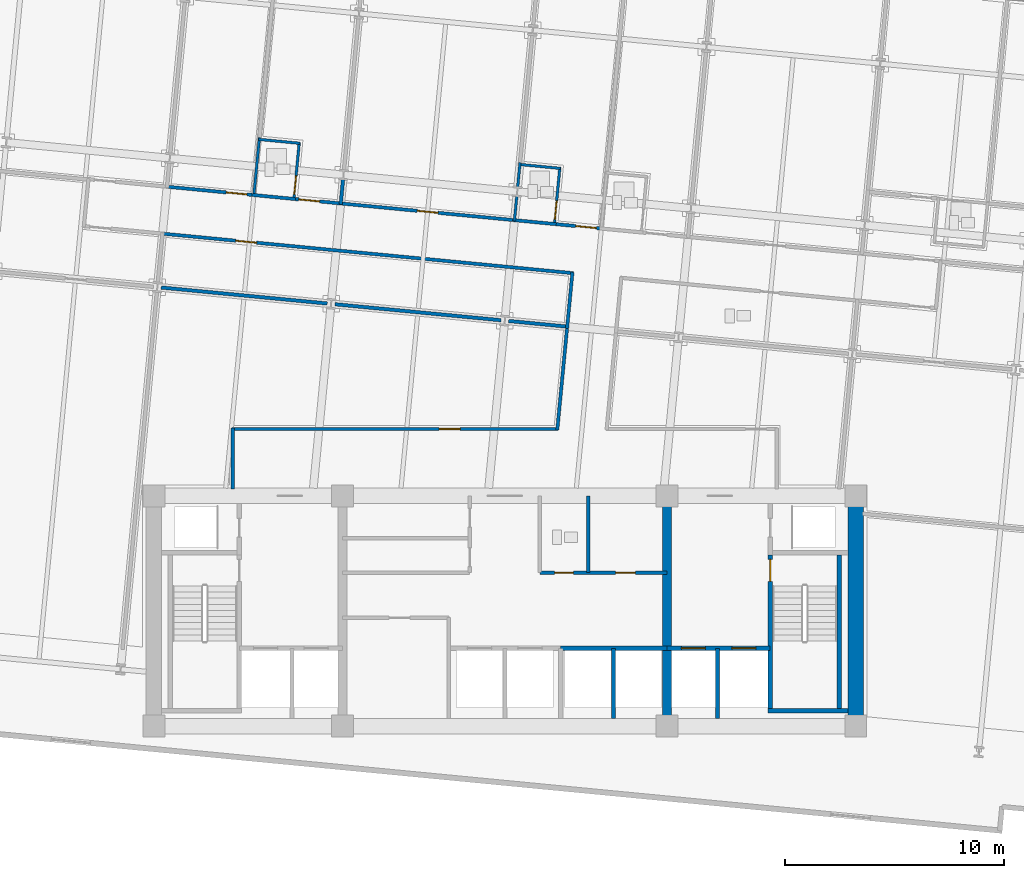
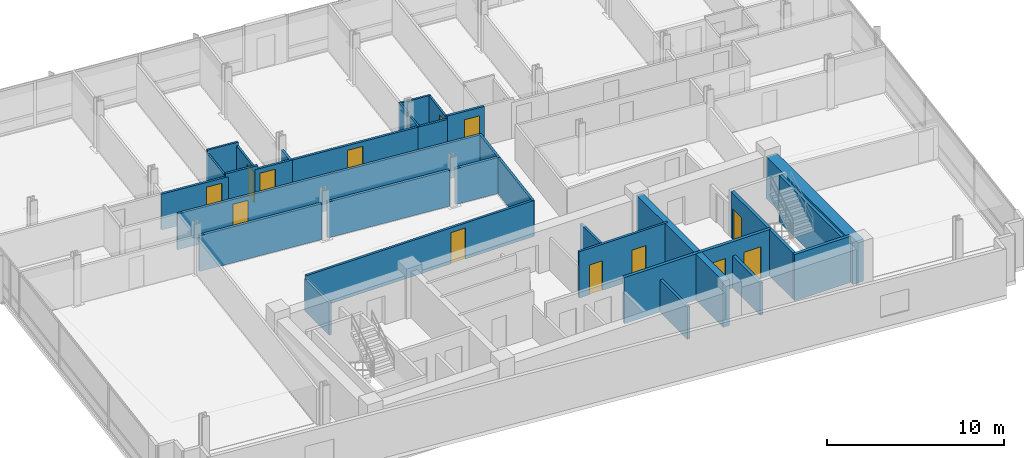
# One storey, part 11 of 17: 33 walls, 13 doors, 13 openings.
"""IFC4 building model written with IfcOpenShell, lengths in metres."""

from ifc_helpers import new_model, si_unit, direction, frame, frame_2d, origin, place, context, subcontext, project, spatial, rectangle, extrude, material, layer, layer_set, type_object, element, fill, save


model = new_model("IFC4")

# Units and contexts
model_context = context("Model", 3, precision=1e-05, world=origin(), true_north=direction((0.0, 1.0)))
body_context = subcontext(model_context, "Body", "Model", "MODEL_VIEW")
ifc_project = project(units=[si_unit("LENGTHUNIT", "METRE"), si_unit("AREAUNIT", "SQUARE_METRE"), si_unit("VOLUMEUNIT", "CUBIC_METRE"), si_unit("PLANEANGLEUNIT", "RADIAN"), si_unit("MASSUNIT", "GRAM", prefix="KILO")], contexts=[model_context])

# Site, building, storey
site_placement = place(None, origin())
site = spatial("IfcSite", under=ifc_project, at=site_placement, CompositionType="ELEMENT")
building_placement = place(site_placement, origin())
building = spatial("IfcBuilding", under=site, at=building_placement, Name="Solmavex Isthmus Hotel", CompositionType="ELEMENT")
storey_placement = place(building_placement, frame((0.0, 0.0, 170.39990234375)))
storey = spatial("IfcBuildingStorey", under=building, at=storey_placement, Name="L46", CompositionType="ELEMENT", Elevation=170.39990234375)

# Walls
ifc_material_1 = material(Name="Gypsum plasterboard lining", Category="gypsum")
ifc_layer_1 = layer(ifc_material_1, 0.159912109375)
ifc_layer_set_1 = layer_set([ifc_layer_1], Name="Gypsum plasterboard lining")
wall_type_1 = type_object("IfcWallType", Name="IW-COMP-160", PredefinedType="PARTITIONING", material=ifc_layer_set_1)
wall_1_placement = place(storey_placement, frame((-7.36865234375, 11.95849609375, 0.0), z_axis=(0.0, 0.0, 1.0), x_axis=(-0.095831494917, -0.995397571115, 0.0)))
element("IfcWall", 1, at=wall_1_placement, inside=storey, type_object=wall_type_1, Name="Interior Partition Wall W-L46-P034", PredefinedType="PARTITIONING", context=body_context, shape_type="SweptSolid", body=[
    extrude(rectangle(XDim=1.171875, YDim=0.159912109375, at=frame_2d((0.5859375, 0.0))), origin(), (0.0, 0.0, 1.0), 2.4794921875),
])
for number, where, z_axis, x_axis, name in (
    (2, (-8.09326171875, 6.269775390625, 0.0), (0.0, 0.0, 1.0), (-0.995396962155, 0.095837819954, 0.0), "Interior Partition Wall W-L46-P070"),
    (3, (-0.173828125, 5.507080078125, 0.0), (0.0, 0.0, 1.0), (-0.995393898805, 0.095869631385, 0.0), "Interior Partition Wall W-L46-P071"),
):
    element("IfcWall", number, at=place(storey_placement, frame(where, z_axis=z_axis, x_axis=x_axis)), inside=storey, type_object=wall_type_1, Name=name, PredefinedType="PARTITIONING", context=body_context, shape_type="SweptSolid", body=[
        extrude(rectangle(XDim=7.60400390625, YDim=0.159912109375, at=frame_2d((3.802001953125, 0.0))), origin(), (0.0, 0.0, 1.0), 2.4794921875),
    ])
wall_2_placement = place(storey_placement, frame((2.885986328125, 5.212646484375, 0.0), z_axis=(0.0, 0.0, 1.0), x_axis=(-0.995401466761, 0.095791022391, 0.0)))
element("IfcWall", 4, at=wall_2_placement, inside=storey, type_object=wall_type_1, Name="Interior Partition Wall W-L46-P072", PredefinedType="PARTITIONING", context=body_context, shape_type="SweptSolid", body=[
    extrude(rectangle(XDim=2.721923828125, YDim=0.159912109375, at=frame_2d((1.36083984375, 0.0))), origin(), (0.0, 0.0, 1.0), 2.4794921875),
])

# Wall, openings, doors
ifc_layer_2 = layer(ifc_material_1, 0.14990234375)
ifc_layer_set_2 = layer_set([ifc_layer_2], Name="Gypsum plasterboard lining")
wall_type_2 = type_object("IfcWallType", Name="IW-CORR-150", PredefinedType="PARTITIONING", material=ifc_layer_set_2)
wall_3_placement = place(storey_placement, frame((1.60009765625, -6.0, 0.0), z_axis=(0.0, 0.0, 1.0), x_axis=(1.0, 0.0, 0.0)))
wall_3 = element("IfcWall", 5, at=wall_3_placement, inside=storey, type_object=wall_type_2, Name="Interior Partition Wall W-L46-BOH-ES", PredefinedType="PARTITIONING", context=body_context, shape_type="SweptSolid", body=[
    extrude(rectangle(XDim=5.7998046875, YDim=0.14990234375, at=frame_2d((2.89990234375, 0.0))), origin(), (0.0, 0.0, 1.0), 3.190185546875),
])
opening_1_placement = place(wall_3_placement, frame((0.675048828125, 0.0, 0.0)))
opening_1 = element("IfcOpeningElement", 6, at=opening_1_placement, cuts=wall_3, Name="Opening ID-R085", PredefinedType="OPENING", context=body_context, shape_type="SweptSolid", body=[
    extrude(rectangle(XDim=0.85009765625, YDim=2.050048828125, at=frame_2d((0.425048828125, 1.02490234375))), frame((0.0, 0.0849609375, 0.0), z_axis=(0.0, -1.0, 0.0), x_axis=(1.0, 0.0, 0.0)), (0.0, 0.0, 1.0), 0.169921875),
])
opening_2_placement = place(wall_3_placement, frame((3.449951171875, 0.0, 0.0)))
opening_2 = element("IfcOpeningElement", 7, at=opening_2_placement, cuts=wall_3, Name="Opening ID-C090", PredefinedType="OPENING", context=body_context, shape_type="SweptSolid", body=[
    extrude(rectangle(XDim=0.89990234375, YDim=2.10009765625, at=frame_2d((0.449951171875, 1.050048828125))), frame((0.0, 0.0849609375, 0.0), z_axis=(0.0, -1.0, 0.0), x_axis=(1.0, 0.0, 0.0)), (0.0, 0.0, 1.0), 0.169921875),
])
ifc_material_2 = material(Name="Steel ASTM A500 Grade C", Category="steel")
door_type_1 = type_object("IfcDoorType", Name="IDR-FD60-0850", OperationType="NOTDEFINED", PredefinedType="DOOR", material=ifc_material_2)
door_1_placement = place(opening_1_placement, frame((0.85009765625, 0.0, 0.0), z_axis=(0.0, 0.0, 1.0), x_axis=(-1.0, 0.0, 0.0)))
door_1 = element("IfcDoor", 8, at=door_1_placement, inside=storey, type_object=door_type_1, Name="Staff WC Door L46", OperationType="SINGLE_SWING_LEFT", OverallHeight=2.050048828125, OverallWidth=0.85009765625, PredefinedType="DOOR", context=body_context, shape_type="SweptSolid", body=[
    extrude(rectangle(XDim=0.85009765625, YDim=2.050048828125, at=frame_2d((0.425048828125, 1.02490234375))), frame((0.0, 0.02490234375, 0.0), z_axis=(0.0, -1.0, 0.0), x_axis=(1.0, 0.0, 0.0)), (0.0, 0.0, 1.0), 0.050048828125),
])
fill(opening_1, door_1)
ifc_material_3 = material(Name="Hardwood timber", Category="wood")
door_type_2 = type_object("IfcDoorType", Name="IDR-FD60-0900", OperationType="NOTDEFINED", PredefinedType="DOOR", material=ifc_material_3)
door_2_placement = place(opening_2_placement, frame((0.89990234375, 0.0, 0.0), z_axis=(0.0, 0.0, 1.0), x_axis=(-1.0, 0.0, 0.0)))
door_2 = element("IfcDoor", 9, at=door_2_placement, inside=storey, type_object=door_type_2, Name="Room Service Door L46", OperationType="SINGLE_SWING_RIGHT", OverallHeight=2.10009765625, OverallWidth=0.89990234375, PredefinedType="DOOR", context=body_context, shape_type="SweptSolid", body=[
    extrude(rectangle(XDim=0.89990234375, YDim=2.10009765625, at=frame_2d((0.449951171875, 1.050048828125))), frame((0.0, 0.02490234375, 0.0), z_axis=(0.0, -1.0, 0.0), x_axis=(1.0, 0.0, 0.0)), (0.0, 0.0, 1.0), 0.050048828125),
])
fill(opening_2, door_2)

# Wall, opening, door
wall_4_placement = place(storey_placement, frame((-15.478271484375, 11.60205078125, 0.0), z_axis=(0.0, 0.0, 1.0), x_axis=(0.995396926245, -0.095838192922, 0.0)))
wall_4 = element("IfcWall", 10, at=wall_4_placement, inside=storey, type_object=wall_type_2, Name="Interior Partition Wall W-L46-P002", PredefinedType="PARTITIONING", context=body_context, shape_type="SweptSolid", body=[
    extrude(rectangle(XDim=4.14208984375, YDim=0.14990234375, at=frame_2d((2.071044921875, 0.0))), origin(), (0.0, 0.0, 1.0), 2.4794921875),
])
opening_3_placement = place(wall_4_placement, frame((2.790283203125, 0.0, 0.0)))
opening_3 = element("IfcOpeningElement", 11, at=opening_3_placement, cuts=wall_4, Name="Opening ID-C095", PredefinedType="OPENING", context=body_context, shape_type="SweptSolid", body=[
    extrude(rectangle(XDim=0.949951171875, YDim=2.14990234375, at=frame_2d((0.47509765625, 1.074951171875))), frame((0.0, 0.0849609375, 0.0), z_axis=(0.0, -1.0, 0.0), x_axis=(1.0, 0.0, 0.0)), (0.0, 0.0, 1.0), 0.169921875),
])
door_type_3 = type_object("IfcDoorType", Name="IDR-FD60-0950", OperationType="NOTDEFINED", PredefinedType="DOOR", material=ifc_material_3)
door_3_placement = place(opening_3_placement, frame((0.949951171875, 0.0, 0.0), z_axis=(0.0, 0.0, 1.0), x_axis=(-1.0, 0.0, 0.0)))
door_3 = element("IfcDoor", 12, at=door_3_placement, inside=storey, type_object=door_type_3, Name="Consultation Care Room Door L46-02", OperationType="SINGLE_SWING_RIGHT", OverallHeight=2.14990234375, OverallWidth=0.949951171875, PredefinedType="DOOR", context=body_context, shape_type="SweptSolid", body=[
    extrude(rectangle(XDim=0.949951171875, YDim=2.14990234375, at=frame_2d((0.47509765625, 1.074951171875))), frame((0.0, 0.02490234375, 0.0), z_axis=(0.0, -1.0, 0.0), x_axis=(1.0, 0.0, 0.0)), (0.0, 0.0, 1.0), 0.050048828125),
])
fill(opening_3, door_3)

wall_5_placement = place(storey_placement, frame((-9.697021484375, 11.04541015625, 0.0), z_axis=(0.0, 0.0, 1.0), x_axis=(0.995393345625, -0.095875374756, 0.0)))
wall_5 = element("IfcWall", 13, at=wall_5_placement, inside=storey, type_object=wall_type_2, Name="Interior Partition Wall W-L46-P003", PredefinedType="PARTITIONING", context=body_context, shape_type="SweptSolid", body=[
    extrude(rectangle(XDim=2.312255859375, YDim=0.14990234375, at=frame_2d((1.15625, 0.0))), origin(), (0.0, 0.0, 1.0), 2.4794921875),
])
opening_4_placement = place(wall_5_placement, frame((0.30615234375, 0.0, 0.0)))
opening_4 = element("IfcOpeningElement", 14, at=opening_4_placement, cuts=wall_5, Name="Opening ID-C095", PredefinedType="OPENING", context=body_context, shape_type="SweptSolid", body=[
    extrude(rectangle(XDim=0.949951171875, YDim=2.14990234375, at=frame_2d((0.47509765625, 1.074951171875))), frame((0.0, 0.0849609375, 0.0), z_axis=(0.0, -1.0, 0.0), x_axis=(1.0, 0.0, 0.0)), (0.0, 0.0, 1.0), 0.169921875),
])
door_4_placement = place(opening_4_placement, frame((0.949951171875, 0.0, 0.0), z_axis=(0.0, 0.0, 1.0), x_axis=(-1.0, 0.0, 0.0)))
door_4 = element("IfcDoor", 15, at=door_4_placement, inside=storey, type_object=door_type_3, Name="Wellness Premier Suite Door L46-03", OperationType="SINGLE_SWING_LEFT", OverallHeight=2.14990234375, OverallWidth=0.949951171875, PredefinedType="DOOR", context=body_context, shape_type="SweptSolid", body=[
    extrude(rectangle(XDim=0.949951171875, YDim=2.14990234375, at=frame_2d((0.47509765625, 1.074951171875))), frame((0.0, 0.02490234375, 0.0), z_axis=(0.0, -1.0, 0.0), x_axis=(1.0, 0.0, 0.0)), (0.0, 0.0, 1.0), 0.050048828125),
])
fill(opening_4, door_4)

# Wall
wall_6_placement = place(storey_placement, frame((-11.5185546875, 11.220947265625, 0.0), z_axis=(0.0, 0.0, 1.0), x_axis=(0.995394211968, -0.095866379824, 0.0)))
element("IfcWall", 16, at=wall_6_placement, inside=storey, type_object=wall_type_2, Name="Interior Partition Wall W-L46-P004", PredefinedType="PARTITIONING", context=body_context, shape_type="SweptSolid", body=[
    extrude(rectangle(XDim=1.994140625, YDim=0.14990234375, at=frame_2d((0.9970703125, 0.0))), origin(), (0.0, 0.0, 1.0), 2.71826171875),
])

# Wall, opening, door
wall_7_placement = place(storey_placement, frame((-7.558837890625, 10.839599609375, 0.0), z_axis=(0.0, 0.0, 1.0), x_axis=(0.995395467524, -0.095853342309, 0.0)))
wall_7 = element("IfcWall", 17, at=wall_7_placement, inside=storey, type_object=wall_type_2, Name="Interior Partition Wall W-L46-P005", PredefinedType="PARTITIONING", context=body_context, shape_type="SweptSolid", body=[
    extrude(rectangle(XDim=8.119873046875, YDim=0.14990234375, at=frame_2d((4.06005859375, 0.0))), origin(), (0.0, 0.0, 1.0), 2.4794921875),
])
opening_5_placement = place(wall_7_placement, frame((3.5849609375, 0.0, 0.0)))
opening_5 = element("IfcOpeningElement", 18, at=opening_5_placement, cuts=wall_7, Name="Opening ID-C095", PredefinedType="OPENING", context=body_context, shape_type="SweptSolid", body=[
    extrude(rectangle(XDim=0.949951171875, YDim=2.14990234375, at=frame_2d((0.47509765625, 1.074951171875))), frame((0.0, 0.0849609375, 0.0), z_axis=(0.0, -1.0, 0.0), x_axis=(1.0, 0.0, 0.0)), (0.0, 0.0, 1.0), 0.169921875),
])
door_5_placement = place(opening_5_placement, frame((0.949951171875, 0.0, 0.0), z_axis=(0.0, 0.0, 1.0), x_axis=(-1.0, 0.0, 0.0)))
door_5 = element("IfcDoor", 19, at=door_5_placement, inside=storey, type_object=door_type_3, Name="Yoga and Fitness Studio Door L46-05", OperationType="SINGLE_SWING_LEFT", OverallHeight=2.14990234375, OverallWidth=0.949951171875, PredefinedType="DOOR", context=body_context, shape_type="SweptSolid", body=[
    extrude(rectangle(XDim=0.949951171875, YDim=2.14990234375, at=frame_2d((0.47509765625, 1.074951171875))), frame((0.0, 0.02490234375, 0.0), z_axis=(0.0, -1.0, 0.0), x_axis=(1.0, 0.0, 0.0)), (0.0, 0.0, 1.0), 0.050048828125),
])
fill(opening_5, door_5)

wall_8_placement = place(storey_placement, frame((2.181884765625, 9.901611328125, 0.0), z_axis=(0.0, 0.0, 1.0), x_axis=(0.995393345625, -0.095875374756, 0.0)))
wall_8 = element("IfcWall", 20, at=wall_8_placement, inside=storey, type_object=wall_type_2, Name="Interior Partition Wall W-L46-P006", PredefinedType="PARTITIONING", context=body_context, shape_type="SweptSolid", body=[
    extrude(rectangle(XDim=2.312255859375, YDim=0.14990234375, at=frame_2d((1.15625, 0.0))), origin(), (0.0, 0.0, 1.0), 2.71826171875),
])
opening_6_placement = place(wall_8_placement, frame((1.05615234375, 0.0, 0.0)))
opening_6 = element("IfcOpeningElement", 21, at=opening_6_placement, cuts=wall_8, Name="Opening ID-C095", PredefinedType="OPENING", context=body_context, shape_type="SweptSolid", body=[
    extrude(rectangle(XDim=0.949951171875, YDim=2.14990234375, at=frame_2d((0.47509765625, 1.074951171875))), frame((0.0, 0.0849609375, 0.0), z_axis=(0.0, -1.0, 0.0), x_axis=(1.0, 0.0, 0.0)), (0.0, 0.0, 1.0), 0.169921875),
])
door_6_placement = place(opening_6_placement, frame((0.949951171875, 0.0, 0.0), z_axis=(0.0, 0.0, 1.0), x_axis=(-1.0, 0.0, 0.0)))
door_6 = element("IfcDoor", 22, at=door_6_placement, inside=storey, type_object=door_type_3, Name="Spa Diplomatic Suite Door L46-06", OperationType="SINGLE_SWING_RIGHT", OverallHeight=2.14990234375, OverallWidth=0.949951171875, PredefinedType="DOOR", context=body_context, shape_type="SweptSolid", body=[
    extrude(rectangle(XDim=0.949951171875, YDim=2.14990234375, at=frame_2d((0.47509765625, 1.074951171875))), frame((0.0, 0.02490234375, 0.0), z_axis=(0.0, -1.0, 0.0), x_axis=(1.0, 0.0, 0.0)), (0.0, 0.0, 1.0), 0.050048828125),
])
fill(opening_6, door_6)

# Walls
wall_9_placement = place(storey_placement, frame((0.360595703125, 10.076904296875, 0.0), z_axis=(0.0, 0.0, 1.0), x_axis=(0.995404765434, -0.095756738414, 0.0)))
element("IfcWall", 23, at=wall_9_placement, inside=storey, type_object=wall_type_2, Name="Interior Partition Wall W-L46-P007", PredefinedType="PARTITIONING", context=body_context, shape_type="SweptSolid", body=[
    extrude(rectangle(XDim=1.993896484375, YDim=0.14990234375, at=frame_2d((0.9970703125, 0.0))), origin(), (0.0, 0.0, 1.0), 2.4794921875),
])
wall_10_placement = place(storey_placement, frame((2.83837890625, 5.134765625, 0.0), z_axis=(0.0, 0.0, 1.0), x_axis=(0.095772090971, 0.995403288417, 0.0)))
element("IfcWall", 24, at=wall_10_placement, inside=storey, type_object=wall_type_2, Name="Interior Partition Wall W-L46-P018", PredefinedType="PARTITIONING", context=body_context, shape_type="SweptSolid", body=[
    extrude(rectangle(XDim=2.572021484375, YDim=0.14990234375, at=frame_2d((1.2861328125, 0.0))), origin(), (0.0, 0.0, 1.0), 2.4794921875),
])

# Wall, opening, door
wall_11_placement = place(storey_placement, frame((3.120849609375, 7.6513671875, 0.0), z_axis=(0.0, 0.0, 1.0), x_axis=(-0.995397135603, 0.095836018457, 0.0)))
wall_11 = element("IfcWall", 25, at=wall_11_placement, inside=storey, type_object=wall_type_2, Name="Interior Partition Wall W-L46-P019", PredefinedType="PARTITIONING", context=body_context, shape_type="SweptSolid", body=[
    extrude(rectangle(XDim=18.89208984375, YDim=0.14990234375, at=frame_2d((9.446044921875, 0.0))), origin(), (0.0, 0.0, 1.0), 2.4794921875),
])
opening_7_placement = place(wall_11_placement, frame((14.501708984375, 0.0, 0.0)))
opening_7 = element("IfcOpeningElement", 26, at=opening_7_placement, cuts=wall_11, Name="Opening ID-C095", PredefinedType="OPENING", context=body_context, shape_type="SweptSolid", body=[
    extrude(rectangle(XDim=0.949951171875, YDim=2.14990234375, at=frame_2d((0.47509765625, 1.074951171875))), frame((0.0, 0.0849609375, 0.0), z_axis=(0.0, -1.0, 0.0), x_axis=(1.0, 0.0, 0.0)), (0.0, 0.0, 1.0), 0.169921875),
])
door_7_placement = place(opening_7_placement, frame((0.949951171875, 0.0, 0.0), z_axis=(0.0, 0.0, 1.0), x_axis=(-1.0, 0.0, 0.0)))
door_7 = element("IfcDoor", 27, at=door_7_placement, inside=storey, type_object=door_type_3, Name="Catering Servery Kitchen Door L46-18", OperationType="SINGLE_SWING_RIGHT", OverallHeight=2.14990234375, OverallWidth=0.949951171875, PredefinedType="DOOR", context=body_context, shape_type="SweptSolid", body=[
    extrude(rectangle(XDim=0.949951171875, YDim=2.14990234375, at=frame_2d((0.47509765625, 1.074951171875))), frame((0.0, 0.02490234375, 0.0), z_axis=(0.0, -1.0, 0.0), x_axis=(1.0, 0.0, 0.0)), (0.0, 0.0, 1.0), 0.050048828125),
])
fill(opening_7, door_7)

# Wall
wall_12_placement = place(storey_placement, frame((-12.39990234375, -2.18994140625, 0.0), z_axis=(0.0, 0.0, 1.0), x_axis=(0.0, 1.0, 0.0)))
element("IfcWall", 28, at=wall_12_placement, inside=storey, type_object=wall_type_2, Name="Interior Partition Wall W-L46-P023", PredefinedType="PARTITIONING", context=body_context, shape_type="SweptSolid", body=[
    extrude(rectangle(XDim=2.780029296875, YDim=0.14990234375, at=frame_2d((1.39013671875, 0.0))), origin(), (0.0, 0.0, 1.0), 2.22509765625),
])

# Wall, opening, door
wall_13_placement = place(storey_placement, frame((-12.43994140625, 0.550048828125, 0.0), z_axis=(0.0, 0.0, 1.0), x_axis=(1.0, 0.0, 0.0)))
wall_13 = element("IfcWall", 29, at=wall_13_placement, inside=storey, type_object=wall_type_2, Name="Interior Partition Wall W-L46-P024", PredefinedType="PARTITIONING", context=body_context, shape_type="SweptSolid", body=[
    extrude(rectangle(XDim=14.876708984375, YDim=0.14990234375, at=frame_2d((7.4384765625, 0.0))), origin(), (0.0, 0.0, 1.0), 2.4794921875),
])
opening_8_placement = place(wall_13_placement, frame((9.44921875, 0.0, 0.0)))
opening_8 = element("IfcOpeningElement", 30, at=opening_8_placement, cuts=wall_13, Name="Opening ID-C095", PredefinedType="OPENING", context=body_context, shape_type="SweptSolid", body=[
    extrude(rectangle(XDim=0.949951171875, YDim=2.14990234375, at=frame_2d((0.47509765625, 1.074951171875))), frame((0.0, 0.0849609375, 0.0), z_axis=(0.0, -1.0, 0.0), x_axis=(1.0, 0.0, 0.0)), (0.0, 0.0, 1.0), 0.169921875),
])
door_8_placement = place(opening_8_placement, frame((0.949951171875, 0.0, 0.0), z_axis=(0.0, 0.0, 1.0), x_axis=(-1.0, 0.0, 0.0)))
door_8 = element("IfcDoor", 31, at=door_8_placement, inside=storey, type_object=door_type_3, Name="Catering Servery Kitchen Door L46-22", OperationType="SINGLE_SWING_RIGHT", OverallHeight=2.14990234375, OverallWidth=0.949951171875, PredefinedType="DOOR", context=body_context, shape_type="SweptSolid", body=[
    extrude(rectangle(XDim=0.949951171875, YDim=2.14990234375, at=frame_2d((0.47509765625, 1.074951171875))), frame((0.0, 0.02490234375, 0.0), z_axis=(0.0, -1.0, 0.0), x_axis=(1.0, 0.0, 0.0)), (0.0, 0.0, 1.0), 0.050048828125),
])
fill(opening_8, door_8)

# Walls
wall_14_placement = place(storey_placement, frame((2.39306640625, 0.51025390625, 0.0), z_axis=(0.0, 0.0, 1.0), x_axis=(0.095829431913, 0.995397769728, 0.0)))
element("IfcWall", 32, at=wall_14_placement, inside=storey, type_object=wall_type_2, Name="Interior Partition Wall W-L46-P025", PredefinedType="PARTITIONING", context=body_context, shape_type="SweptSolid", body=[
    extrude(rectangle(XDim=4.81005859375, YDim=0.14990234375, at=frame_2d((2.405029296875, 0.0))), origin(), (0.0, 0.0, 1.0), 2.4794921875),
])
ifc_layer_3 = layer(ifc_material_1, 0.1201171875)
ifc_layer_set_3 = layer_set([ifc_layer_3], Name="Gypsum plasterboard lining")
wall_type_3 = type_object("IfcWallType", Name="IW-PART-120", PredefinedType="PARTITIONING", material=ifc_layer_set_3)
wall_15_placement = place(storey_placement, frame((3.800048828125, -6.0, 0.0), z_axis=(0.0, 0.0, 1.0), x_axis=(0.0, 1.0, 0.0)))
element("IfcWall", 33, at=wall_15_placement, inside=storey, type_object=wall_type_3, Name="Interior Partition Wall W-L46-BOH-EM3", PredefinedType="PARTITIONING", context=body_context, shape_type="SweptSolid", body=[
    extrude(rectangle(XDim=3.5, YDim=0.14990234375, at=frame_2d((1.75, 0.0))), origin(), (0.0, 0.0, 1.0), 2.22509765625),
])
wall_16_placement = place(storey_placement, frame((-11.1845703125, 13.832763671875, 0.0), z_axis=(0.0, 0.0, 1.0), x_axis=(-0.095848206737, -0.99539596205, 0.0)))
element("IfcWall", 34, at=wall_16_placement, inside=storey, type_object=wall_type_3, Name="Interior Partition Wall W-L46-P031", PredefinedType="PARTITIONING", context=body_context, shape_type="SweptSolid", body=[
    extrude(rectangle(XDim=2.671875, YDim=0.1201171875, at=frame_2d((1.3359375, 0.0))), origin(), (0.0, 0.0, 1.0), 2.4794921875),
])

# Wall, opening, door
wall_17_placement = place(storey_placement, frame((-9.619384765625, 10.997802734375, 0.0), z_axis=(0.0, 0.0, 1.0), x_axis=(0.095891053428, 0.995391835345, 0.0)))
wall_17 = element("IfcWall", 35, at=wall_17_placement, inside=storey, type_object=wall_type_3, Name="Interior Partition Wall W-L46-P032", PredefinedType="PARTITIONING", context=body_context, shape_type="SweptSolid", body=[
    extrude(rectangle(XDim=2.630126953125, YDim=0.1201171875, at=frame_2d((1.31494140625, 0.0))), origin(), (0.0, 0.0, 1.0), 2.4794921875),
])
opening_9_placement = place(wall_17_placement, frame((0.247314453125, 0.0, 0.0)))
opening_9 = element("IfcOpeningElement", 36, at=opening_9_placement, cuts=wall_17, Name="Opening ID-U085", PredefinedType="OPENING", context=body_context, shape_type="SweptSolid", body=[
    extrude(rectangle(XDim=0.85009765625, YDim=2.10009765625, at=frame_2d((0.425048828125, 1.050048828125))), frame((0.0, 0.070068359375, 0.0), z_axis=(0.0, -1.0, 0.0), x_axis=(1.0, 0.0, 0.0)), (0.0, 0.0, 1.0), 0.14013671875),
])
door_type_4 = type_object("IfcDoorType", Name="IDR-UNR-0850", OperationType="NOTDEFINED", PredefinedType="DOOR", material=ifc_material_3)
door_9_placement = place(opening_9_placement, origin())
door_9 = element("IfcDoor", 37, at=door_9_placement, inside=storey, type_object=door_type_4, Name="En-suite Bathroom Door L46-04", OperationType="SINGLE_SWING_RIGHT", OverallHeight=2.10009765625, OverallWidth=0.85009765625, PredefinedType="DOOR", context=body_context, shape_type="SweptSolid", body=[
    extrude(rectangle(XDim=0.85009765625, YDim=2.10009765625, at=frame_2d((0.425048828125, 1.050048828125))), frame((0.0, 0.02490234375, 0.0), z_axis=(0.0, -1.0, 0.0), x_axis=(1.0, 0.0, 0.0)), (0.0, 0.0, 1.0), 0.050048828125),
])
fill(opening_9, door_9)

# Walls
wall_18_placement = place(storey_placement, frame((-9.331298828125, 13.572021484375, 0.0), z_axis=(0.0, 0.0, 1.0), x_axis=(-0.995393793358, 0.095870726213, 0.0)))
element("IfcWall", 38, at=wall_18_placement, inside=storey, type_object=wall_type_3, Name="Interior Partition Wall W-L46-P033", PredefinedType="PARTITIONING", context=body_context, shape_type="SweptSolid", body=[
    extrude(rectangle(XDim=1.909912109375, YDim=0.1201171875, at=frame_2d((0.955078125, 0.0))), origin(), (0.0, 0.0, 1.0), 2.71826171875),
])
wall_19_placement = place(storey_placement, frame((0.55078125, 11.196044921875, 0.0), z_axis=(0.0, 0.0, 1.0), x_axis=(-0.096017994315, -0.995379598328, 0.0)))
element("IfcWall", 39, at=wall_19_placement, inside=storey, type_object=wall_type_3, Name="Interior Partition Wall W-L46-P039", PredefinedType="PARTITIONING", context=body_context, shape_type="SweptSolid", body=[
    extrude(rectangle(XDim=1.172119140625, YDim=0.1201171875, at=frame_2d((0.5859375, 0.0))), origin(), (0.0, 0.0, 1.0), 2.4794921875),
])
wall_20_placement = place(storey_placement, frame((0.6943359375, 12.68896484375, 0.0), z_axis=(0.0, 0.0, 1.0), x_axis=(-0.095712406644, -0.9954090291, 0.0)))
element("IfcWall", 40, at=wall_20_placement, inside=storey, type_object=wall_type_3, Name="Interior Partition Wall W-L46-P040", PredefinedType="PARTITIONING", context=body_context, shape_type="SweptSolid", body=[
    extrude(rectangle(XDim=1.14794921875, YDim=0.1201171875, at=frame_2d((0.573974609375, 0.0))), origin(), (0.0, 0.0, 1.0), 2.4794921875),
])

# Wall, opening, door
wall_21_placement = place(storey_placement, frame((2.259765625, 9.85400390625, 0.0), z_axis=(0.0, 0.0, 1.0), x_axis=(0.095891053428, 0.995391835345, 0.0)))
wall_21 = element("IfcWall", 41, at=wall_21_placement, inside=storey, type_object=wall_type_3, Name="Interior Partition Wall W-L46-P041", PredefinedType="PARTITIONING", context=body_context, shape_type="SweptSolid", body=[
    extrude(rectangle(XDim=2.630126953125, YDim=0.1201171875, at=frame_2d((1.31494140625, 0.0))), origin(), (0.0, 0.0, 1.0), 2.4794921875),
])
opening_10_placement = place(wall_21_placement, frame((0.247314453125, 0.0, 0.0)))
opening_10 = element("IfcOpeningElement", 42, at=opening_10_placement, cuts=wall_21, Name="Opening ID-U085", PredefinedType="OPENING", context=body_context, shape_type="SweptSolid", body=[
    extrude(rectangle(XDim=0.85009765625, YDim=2.10009765625, at=frame_2d((0.425048828125, 1.050048828125))), frame((0.0, 0.070068359375, 0.0), z_axis=(0.0, -1.0, 0.0), x_axis=(1.0, 0.0, 0.0)), (0.0, 0.0, 1.0), 0.14013671875),
])
door_10_placement = place(opening_10_placement, frame((0.85009765625, 0.0, 0.0), z_axis=(0.0, 0.0, 1.0), x_axis=(-1.0, 0.0, 0.0)))
door_10 = element("IfcDoor", 43, at=door_10_placement, inside=storey, type_object=door_type_4, Name="En-suite Bathroom Door L46-07", OperationType="SINGLE_SWING_LEFT", OverallHeight=2.10009765625, OverallWidth=0.85009765625, PredefinedType="DOOR", context=body_context, shape_type="SweptSolid", body=[
    extrude(rectangle(XDim=0.85009765625, YDim=2.10009765625, at=frame_2d((0.425048828125, 1.050048828125))), frame((0.0, 0.02490234375, 0.0), z_axis=(0.0, -1.0, 0.0), x_axis=(1.0, 0.0, 0.0)), (0.0, 0.0, 1.0), 0.050048828125),
])
fill(opening_10, door_10)

# Walls
wall_22_placement = place(storey_placement, frame((2.5478515625, 12.42822265625, 0.0), z_axis=(0.0, 0.0, 1.0), x_axis=(-0.995393793358, 0.095870726213, 0.0)))
element("IfcWall", 44, at=wall_22_placement, inside=storey, type_object=wall_type_3, Name="Interior Partition Wall W-L46-P042", PredefinedType="PARTITIONING", context=body_context, shape_type="SweptSolid", body=[
    extrude(rectangle(XDim=1.909912109375, YDim=0.1201171875, at=frame_2d((0.955078125, 0.0))), origin(), (0.0, 0.0, 1.0), 2.4794921875),
])
ifc_material_4 = material(Name="Concrete C40/50", Category="concrete")
ifc_layer_4 = layer(ifc_material_4, 0.179931640625)
ifc_layer_set_4 = layer_set([ifc_layer_4], Name="Concrete C40/50")
wall_type_4 = type_object("IfcWallType", Name="IW-SHAFT-180", PredefinedType="PARTITIONING", material=ifc_layer_set_4)
wall_23_placement = place(storey_placement, frame((4.949951171875, -12.64990234375, 0.0), z_axis=(0.0, 0.0, 1.0), x_axis=(0.0, 1.0, 0.0)))
element("IfcWall", 45, at=wall_23_placement, inside=storey, type_object=wall_type_4, Name="Interior Partition Wall W-L46-SH-PLH-M", PredefinedType="PARTITIONING", context=body_context, shape_type="SweptSolid", body=[
    extrude(rectangle(XDim=3.199951171875, YDim=0.179931640625, at=frame_2d((1.60009765625, 0.0))), origin(), (0.0, 0.0, 1.0), 2.22509765625),
])

# Wall, openings, doors
ifc_layer_5 = layer(ifc_material_4, 0.199951171875)
ifc_layer_set_5 = layer_set([ifc_layer_5], Name="Concrete C40/50")
wall_type_5 = type_object("IfcWallType", Name="IW-SHAFT-200", PredefinedType="PARTITIONING", material=ifc_layer_set_5)
wall_24_placement = place(storey_placement, frame((7.39990234375, -9.449951171875, 0.0), z_axis=(0.0, 0.0, 1.0), x_axis=(1.0, 0.0, 0.0)))
wall_24 = element("IfcWall", 46, at=wall_24_placement, inside=storey, type_object=wall_type_5, Name="Interior Partition Wall W-L46-FFLE-S", PredefinedType="PARTITIONING", context=body_context, shape_type="SweptSolid", body=[
    extrude(rectangle(XDim=4.7001953125, YDim=0.199951171875, at=frame_2d((2.35009765625, 0.0))), origin(), (0.0, 0.0, 1.0), 3.190185546875),
])
opening_11_placement = place(wall_24_placement, frame((2.949951171875, 0.0, 0.0)))
opening_11 = element("IfcOpeningElement", 47, at=opening_11_placement, cuts=wall_24, Name="Opening LD-FF", PredefinedType="OPENING", context=body_context, shape_type="SweptSolid", body=[
    extrude(rectangle(XDim=1.10009765625, YDim=2.199951171875, at=frame_2d((0.550048828125, 1.10009765625))), frame((0.0, 0.10986328125, 0.0), z_axis=(0.0, -1.0, 0.0), x_axis=(1.0, 0.0, 0.0)), (0.0, 0.0, 1.0), 0.219970703125),
])
opening_12_placement = place(wall_24_placement, frame((0.64990234375, 0.0, 0.0)))
opening_12 = element("IfcOpeningElement", 48, at=opening_12_placement, cuts=wall_24, Name="Opening LD-SV", PredefinedType="OPENING", context=body_context, shape_type="SweptSolid", body=[
    extrude(rectangle(XDim=1.10009765625, YDim=2.199951171875, at=frame_2d((0.550048828125, 1.10009765625))), frame((0.0, 0.10986328125, 0.0), z_axis=(0.0, -1.0, 0.0), x_axis=(1.0, 0.0, 0.0)), (0.0, 0.0, 1.0), 0.219970703125),
])
ifc_material_5 = material(Name="Stainless steel 316", Category="steel")
door_type_5 = type_object("IfcDoorType", Name="LDR-FF-1100", OperationType="NOTDEFINED", PredefinedType="DOOR", material=ifc_material_5)
door_11_placement = place(opening_11_placement, origin())
door_11 = element("IfcDoor", 49, at=door_11_placement, inside=storey, type_object=door_type_5, Name="Lift Landing Door FFL-2 L46", OperationType="SLIDING_TO_LEFT", OverallHeight=2.199951171875, OverallWidth=1.10009765625, PredefinedType="DOOR", context=body_context, shape_type="SweptSolid", body=[
    extrude(rectangle(XDim=1.10009765625, YDim=2.199951171875, at=frame_2d((0.550048828125, 1.10009765625))), frame((0.0, 0.02490234375, 0.0), z_axis=(0.0, -1.0, 0.0), x_axis=(1.0, 0.0, 0.0)), (0.0, 0.0, 1.0), 0.050048828125),
])
fill(opening_11, door_11)
door_type_6 = type_object("IfcDoorType", Name="LDR-SV-1100", OperationType="NOTDEFINED", PredefinedType="DOOR", material=ifc_material_5)
door_12_placement = place(opening_12_placement, origin())
door_12 = element("IfcDoor", 50, at=door_12_placement, inside=storey, type_object=door_type_6, Name="Lift Landing Door SVL-2 L46", OperationType="SLIDING_TO_RIGHT", OverallHeight=2.199951171875, OverallWidth=1.10009765625, PredefinedType="DOOR", context=body_context, shape_type="SweptSolid", body=[
    extrude(rectangle(XDim=1.10009765625, YDim=2.199951171875, at=frame_2d((0.550048828125, 1.10009765625))), frame((0.0, 0.02490234375, 0.0), z_axis=(0.0, -1.0, 0.0), x_axis=(1.0, 0.0, 0.0)), (0.0, 0.0, 1.0), 0.050048828125),
])
fill(opening_12, door_12)

# Walls
wall_25_placement = place(storey_placement, frame((9.699951171875, -12.64990234375, 0.0), z_axis=(0.0, 0.0, 1.0), x_axis=(0.0, 1.0, 0.0)))
element("IfcWall", 51, at=wall_25_placement, inside=storey, type_object=wall_type_5, Name="Interior Partition Wall W-L46-FFLE-M", PredefinedType="PARTITIONING", context=body_context, shape_type="SweptSolid", body=[
    extrude(rectangle(XDim=3.199951171875, YDim=0.199951171875, at=frame_2d((1.60009765625, 0.0))), origin(), (0.0, 0.0, 1.0), 2.22509765625),
])
wall_26_placement = place(storey_placement, frame((2.550048828125, -9.449951171875, 0.0), z_axis=(0.0, 0.0, 1.0), x_axis=(1.0, 0.0, 0.0)))
element("IfcWall", 52, at=wall_26_placement, inside=storey, type_object=wall_type_5, Name="Interior Partition Wall W-L46-SH-PLH", PredefinedType="PARTITIONING", context=body_context, shape_type="SweptSolid", body=[
    extrude(rectangle(XDim=4.849853515625, YDim=0.199951171875, at=frame_2d((2.4248046875, 0.0))), origin(), (0.0, 0.0, 1.0), 3.190185546875),
])
ifc_material_6 = material(Name="Concrete C60/75", Category="concrete")
ifc_layer_6 = layer(ifc_material_6, 0.39990234375)
ifc_layer_set_6 = layer_set([ifc_layer_6], Name="Concrete C60/75")
wall_type_6 = type_object("IfcWallType", Name="WALL-CW-400M", PredefinedType="SHEAR", material=ifc_layer_set_6)
wall_27_placement = place(storey_placement, frame((7.39990234375, -12.64990234375, 0.0), z_axis=(0.0, 0.0, 1.0), x_axis=(0.0, 1.0, 0.0)))
element("IfcWall", 53, at=wall_27_placement, inside=storey, type_object=wall_type_6, Name="Core Cross Shear Wall C2 L46", PredefinedType="SHEAR", context=body_context, shape_type="SweptSolid", body=[
    extrude(rectangle(XDim=9.7998046875, YDim=0.39990234375, at=frame_2d((4.89990234375, 0.0))), origin(), (0.0, 0.0, 1.0), 3.190185546875),
])
ifc_layer_7 = layer(ifc_material_6, 0.699951171875)
ifc_layer_set_7 = layer_set([ifc_layer_7], Name="Concrete C60/75")
wall_type_7 = type_object("IfcWallType", Name="WALL-CW-700", PredefinedType="SHEAR", material=ifc_layer_set_7)
wall_28_placement = place(storey_placement, frame((16.0, -12.64990234375, 0.0), z_axis=(0.0, 0.0, 1.0), x_axis=(0.0, 1.0, 0.0)))
element("IfcWall", 54, at=wall_28_placement, inside=storey, type_object=wall_type_7, Name="Core Shear Wall East L46", PredefinedType="SHEAR", context=body_context, shape_type="SweptSolid", body=[
    extrude(rectangle(XDim=9.7998046875, YDim=0.699951171875, at=frame_2d((4.89990234375, 0.0))), origin(), (0.0, 0.0, 1.0), 2.91015625),
])
ifc_layer_8 = layer(ifc_material_4, 0.199951171875)
ifc_layer_set_8 = layer_set([ifc_layer_8], Name="Concrete C40/50")
wall_type_8 = type_object("IfcWallType", Name="WALL-SW-200", PredefinedType="SOLIDWALL", material=ifc_layer_set_8)
wall_29_placement = place(storey_placement, frame((12.0, -12.300048828125, 0.0), z_axis=(0.0, 0.0, 1.0), x_axis=(1.0, 0.0, 0.0)))
element("IfcWall", 55, at=wall_29_placement, inside=storey, type_object=wall_type_8, Name="Stairwell Structural Wall SW-L46-ST2-S", PredefinedType="SOLIDWALL", context=body_context, shape_type="SweptSolid", body=[
    extrude(rectangle(XDim=3.64990234375, YDim=0.199951171875, at=frame_2d((1.824951171875, 0.0))), origin(), (0.0, 0.0, 1.0), 3.190185546875),
])

# Wall, opening, door
wall_30_placement = place(storey_placement, frame((12.10009765625, -12.199951171875, 0.0), z_axis=(0.0, 0.0, 1.0), x_axis=(0.0, 1.0, 0.0)))
wall_30 = element("IfcWall", 56, at=wall_30_placement, inside=storey, type_object=wall_type_8, Name="Stairwell Structural Wall SW-L46-ST2-W", PredefinedType="SOLIDWALL", context=body_context, shape_type="SweptSolid", body=[
    extrude(rectangle(XDim=7.0, YDim=0.199951171875, at=frame_2d((3.5, 0.0))), origin(), (0.0, 0.0, 1.0), 3.190185546875),
])
opening_13_placement = place(wall_30_placement, frame((5.800048828125, 0.0, 0.0)))
opening_13 = element("IfcOpeningElement", 57, at=opening_13_placement, cuts=wall_30, Name="Opening ID-F100", PredefinedType="OPENING", context=body_context, shape_type="SweptSolid", body=[
    extrude(rectangle(XDim=1.0, YDim=2.10009765625, at=frame_2d((0.5, 1.050048828125))), frame((0.0, 0.10986328125, 0.0), z_axis=(0.0, -1.0, 0.0), x_axis=(1.0, 0.0, 0.0)), (0.0, 0.0, 1.0), 0.219970703125),
])
door_type_7 = type_object("IfcDoorType", Name="IDR-FD90-1000", OperationType="NOTDEFINED", PredefinedType="DOOR", material=ifc_material_2)
door_13_placement = place(opening_13_placement, origin())
door_13 = element("IfcDoor", 58, at=door_13_placement, inside=storey, type_object=door_type_7, Name="Stair ST-2 Fire Door L46", OperationType="SINGLE_SWING_RIGHT", OverallHeight=2.10009765625, OverallWidth=1.0, PredefinedType="DOOR", context=body_context, shape_type="SweptSolid", body=[
    extrude(rectangle(XDim=1.0, YDim=2.10009765625, at=frame_2d((0.5, 1.050048828125))), frame((0.0, 0.02490234375, 0.0), z_axis=(0.0, -1.0, 0.0), x_axis=(1.0, 0.0, 0.0)), (0.0, 0.0, 1.0), 0.050048828125),
])
fill(opening_13, door_13)

# Wall
wall_31_placement = place(storey_placement, frame((15.25, -12.199951171875, 0.0), z_axis=(0.0, 0.0, 1.0), x_axis=(0.0, 1.0, 0.0)))
element("IfcWall", 59, at=wall_31_placement, inside=storey, type_object=wall_type_8, Name="Stairwell Structural Wall SW-L46-ST2-E", PredefinedType="SOLIDWALL", context=body_context, shape_type="SweptSolid", body=[
    extrude(rectangle(XDim=7.0, YDim=0.199951171875, at=frame_2d((3.5, 0.0))), origin(), (0.0, 0.0, 1.0), 3.190185546875),
])

save(model, "model.ifc")
